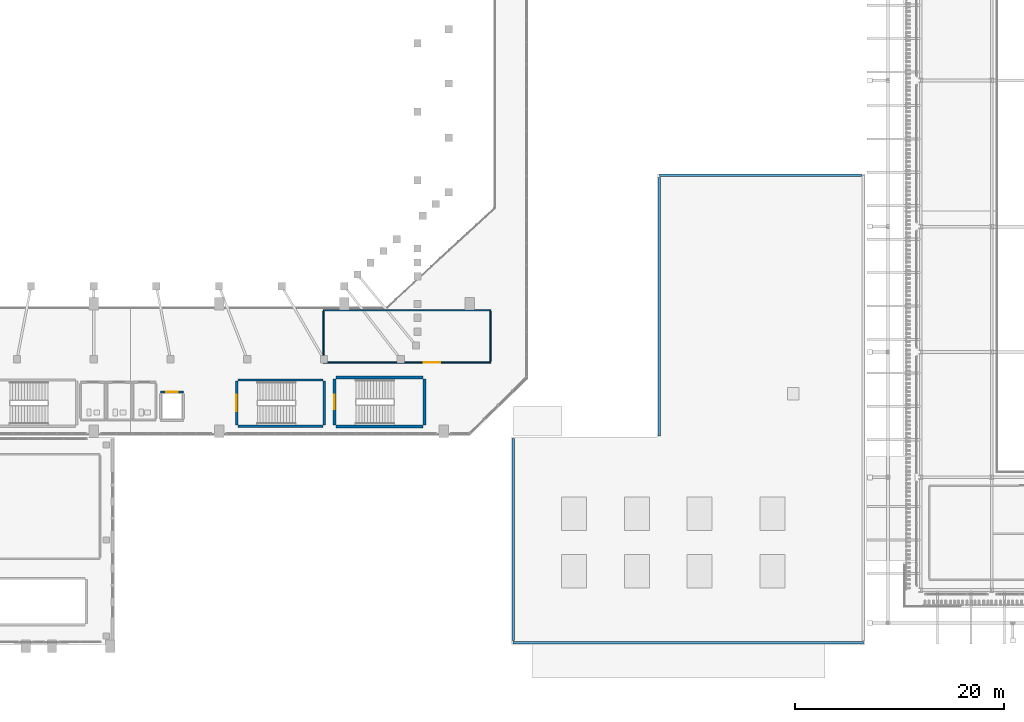
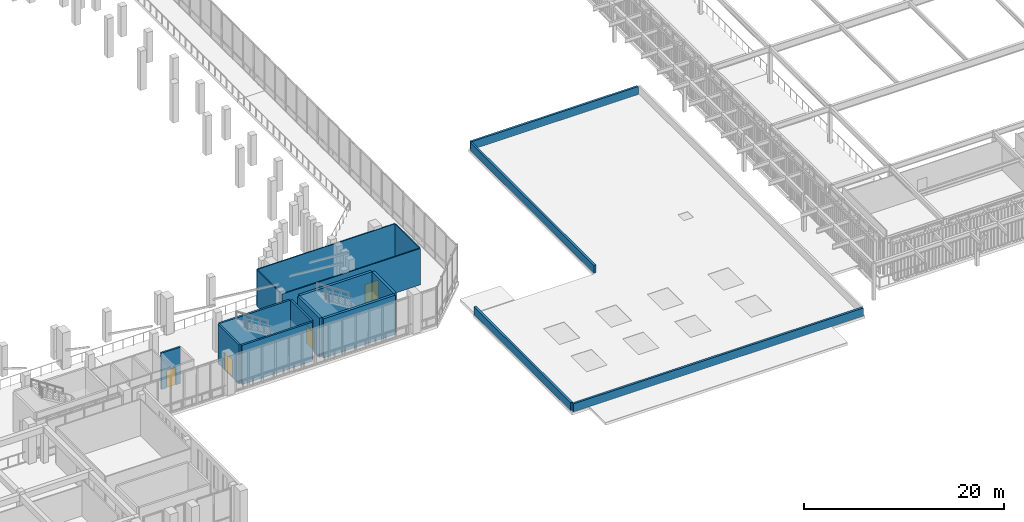
# One storey, part 93 of 126: 17 walls, 4 doors, 4 openings.
"""IFC4 building model written with IfcOpenShell, lengths in metres."""

from ifc_helpers import new_model, si_unit, derived_unit, direction, frame, frame_2d, origin, place, context, subcontext, project, spatial, rectangle, extrude, material, layer, layer_set, type_object, element, fill, save


model = new_model("IFC4")

# Units and contexts
model_context = context("Model", 3, precision=1e-05, world=origin(), true_north=direction((0.0, 1.0)))
body_context = subcontext(model_context, "Body", "Model", "MODEL_VIEW")
ifc_project = project(units=[si_unit("LENGTHUNIT", "METRE"), si_unit("AREAUNIT", "SQUARE_METRE"), si_unit("VOLUMEUNIT", "CUBIC_METRE"), si_unit("PLANEANGLEUNIT", "RADIAN"), si_unit("MASSUNIT", "GRAM", prefix="KILO"), derived_unit("THERMALTRANSMITTANCEUNIT", [(si_unit("MASSUNIT", "GRAM", prefix="KILO"), 1), (si_unit("TIMEUNIT", "SECOND"), -3), (si_unit("THERMODYNAMICTEMPERATUREUNIT", "KELVIN"), -1)])], contexts=[model_context])

# Site, building, storey
site_placement = place(None, origin())
site = spatial("IfcSite", under=ifc_project, at=site_placement, CompositionType="ELEMENT")
building_placement = place(site_placement, origin())
building = spatial("IfcBuilding", under=site, at=building_placement, Name="Valcora Ridge Arena", CompositionType="ELEMENT")
storey_placement = place(building_placement, frame((0.0, 0.0, 11.39990234375)))
storey = spatial("IfcBuildingStorey", under=building, at=storey_placement, Name="L02", CompositionType="ELEMENT", Elevation=11.39990234375)

# Wall, opening, door
ifc_material_1 = material(Name="Acoustic metal-stud gypsum partition 120 mm")
ifc_layer_1 = layer(ifc_material_1, 0.1201171875, Name="Acoustic metal-stud gypsum partition 120 mm")
ifc_layer_set_1 = layer_set([ifc_layer_1], Name="Acoustic metal-stud gypsum partition 120 mm")
wall_type_1 = type_object("IfcWallType", Name="TY-WALL-IW-PART-120", PredefinedType="PARTITIONING", material=ifc_layer_set_1)
wall_1_placement = place(storey_placement, frame((80.0, 27.0, 0.0), z_axis=(0.0, 0.0, 1.0), x_axis=(1.0, 0.0, 0.0)))
wall_1 = element("IfcWall", 1, at=wall_1_placement, inside=storey, type_object=wall_type_1, Name="IW-PART-120 WAL-IN-0349", PredefinedType="PARTITIONING", context=body_context, shape_type="SweptSolid", body=[
    extrude(rectangle(XDim=16.0, YDim=0.1201171875, at=frame_2d((8.0, 0.0))), origin(), (0.0, 0.0, 1.0), 4.4501953125),
])
opening_1_placement = place(wall_1_placement, frame((9.60009765625, 0.0, 0.0)))
opening_1 = element("IfcOpeningElement", 2, at=opening_1_placement, cuts=wall_1, Name="Opening D-PUB-1600", PredefinedType="OPENING", context=body_context, shape_type="SweptSolid", body=[
    extrude(rectangle(XDim=1.60009765625, YDim=2.25, at=frame_2d((0.800048828125, 1.125))), frame((0.0, 0.070068359375, 0.0), z_axis=(0.0, -1.0, 0.0), x_axis=(1.0, 0.0, 0.0)), (0.0, 0.0, 1.0), 0.14013671875),
])
ifc_material_2 = material(Name="Solid-core acoustic timber veneer door leaf", Category="wood")
door_type_1 = type_object("IfcDoorType", Name="TY-DOOR-D-PUB-1600", OperationType="NOTDEFINED", PredefinedType="DOOR", material=ifc_material_2)
door_1_placement = place(opening_1_placement, origin())
door_1 = element("IfcDoor", 3, at=door_1_placement, inside=storey, type_object=door_type_1, Name="D-PUB-1600 DOR-IN-0092", OperationType="DOUBLE_DOOR_SINGLE_SWING", OverallHeight=2.25, OverallWidth=1.60009765625, PredefinedType="DOOR", context=body_context, shape_type="SweptSolid", body=[
    extrude(rectangle(XDim=1.60009765625, YDim=2.25, at=frame_2d((0.800048828125, 1.125))), frame((0.0, 0.02490234375, 0.0), z_axis=(0.0, -1.0, 0.0), x_axis=(1.0, 0.0, 0.0)), (0.0, 0.0, 1.0), 0.050048828125),
])
fill(opening_1, door_1)

# Walls
wall_2_placement = place(storey_placement, frame((80.0, 32.0, 0.0), z_axis=(0.0, 0.0, 1.0), x_axis=(1.0, 0.0, 0.0)))
element("IfcWall", 4, at=wall_2_placement, inside=storey, type_object=wall_type_1, Name="IW-PART-120 WAL-IN-0350", PredefinedType="PARTITIONING", context=body_context, shape_type="SweptSolid", body=[
    extrude(rectangle(XDim=16.0, YDim=0.1201171875, at=frame_2d((8.0, 0.0))), origin(), (0.0, 0.0, 1.0), 4.4501953125),
])
for number, where, z_axis, x_axis, name in (
    (5, (80.0, 27.1201171875, 0.0), (0.0, 0.0, 1.0), (0.0, 1.0, 0.0), "IW-PART-120 WAL-IN-0351"),
    (6, (96.0, 27.1201171875, 0.0), (0.0, 0.0, 1.0), (0.0, 1.0, 0.0), "IW-PART-120 WAL-IN-0352"),
):
    element("IfcWall", number, at=place(storey_placement, frame(where, z_axis=z_axis, x_axis=x_axis)), inside=storey, type_object=wall_type_1, Name=name, PredefinedType="PARTITIONING", context=body_context, shape_type="SweptSolid", body=[
        extrude(rectangle(XDim=4.759765625, YDim=0.1201171875, at=frame_2d((2.3798828125, 0.0))), origin(), (0.0, 0.0, 1.0), 4.4501953125),
    ])

# Wall, opening, door
ifc_material_3 = material(Name="Concrete C40/50", Category="concrete")
ifc_layer_2 = layer(ifc_material_3, 0.199951171875, Name="Concrete C40/50")
ifc_layer_set_2 = layer_set([ifc_layer_2], Name="Concrete C40/50")
wall_type_2 = type_object("IfcWallType", Name="TY-WALL-IW-SHF-200", PredefinedType="STANDARD", material=ifc_layer_set_2)
wall_3_placement = place(storey_placement, frame((64.39990234375, 24.14990234375, 0.0), z_axis=(0.0, 0.0, 1.0), x_axis=(1.0, 0.0, 0.0)))
wall_3 = element("IfcWall", 7, at=wall_3_placement, inside=storey, type_object=wall_type_2, Name="IW-SHF-200 WAL-SH-0094", PredefinedType="STANDARD", context=body_context, shape_type="SweptSolid", body=[
    extrude(rectangle(XDim=2.2001953125, YDim=0.199951171875, at=frame_2d((1.10009765625, 0.0))), origin(), (0.0, 0.0, 1.0), 4.4501953125),
])
opening_2_placement = place(wall_3_placement, frame((0.550048828125, 0.0, 0.0)))
opening_2 = element("IfcOpeningElement", 8, at=opening_2_placement, cuts=wall_3, Name="Opening LD-PAX", PredefinedType="OPENING", context=body_context, shape_type="SweptSolid", body=[
    extrude(rectangle(XDim=1.10009765625, YDim=2.14990234375, at=frame_2d((0.550048828125, 1.074951171875))), frame((0.0, 0.10986328125, 0.0), z_axis=(0.0, -1.0, 0.0), x_axis=(1.0, 0.0, 0.0)), (0.0, 0.0, 1.0), 0.219970703125),
])
ifc_material_4 = material(Name="Insulated fire-rated hollow metal steel", Category="steel")
door_type_2 = type_object("IfcDoorType", Name="TY-DOOR-LD-PAX", OperationType="NOTDEFINED", PredefinedType="DOOR", material=ifc_material_4)
door_2_placement = place(opening_2_placement, origin())
door_2 = element("IfcDoor", 9, at=door_2_placement, inside=storey, type_object=door_type_2, Name="PL2 Landing Door L02", OperationType="SLIDING_TO_LEFT", OverallHeight=2.14990234375, OverallWidth=1.10009765625, PredefinedType="DOOR", context=body_context, shape_type="SweptSolid", body=[
    extrude(rectangle(XDim=1.10009765625, YDim=2.14990234375, at=frame_2d((0.550048828125, 1.074951171875))), frame((0.0, 0.02490234375, 0.0), z_axis=(0.0, -1.0, 0.0), x_axis=(1.0, 0.0, 0.0)), (0.0, 0.0, 1.0), 0.050048828125),
])
fill(opening_2, door_2)

# Walls
ifc_material_5 = material(Name="Concrete C45/55", Category="concrete")
ifc_layer_3 = layer(ifc_material_5, 0.300048828125, Name="Concrete C45/55")
ifc_layer_set_3 = layer_set([ifc_layer_3], Name="Concrete C45/55")
wall_type_3 = type_object("IfcWallType", Name="TY-WALL-SW-C300-L", PredefinedType="SHEAR", material=ifc_layer_set_3)
for number, where, z_axis, x_axis, name in (
    (10, (81.199951171875, 20.85009765625, 0.0), (0.0, 0.0, 1.0), (1.0, 0.0, 0.0), "SW-C300-L WAL-CR-0041"),
    (11, (81.199951171875, 25.550048828125, 0.0), (0.0, 0.0, 1.0), (1.0, 0.0, 0.0), "SW-C300-L WAL-CR-0042"),
):
    element("IfcWall", number, at=place(storey_placement, frame(where, z_axis=z_axis, x_axis=x_axis)), inside=storey, type_object=wall_type_3, Name=name, PredefinedType="SHEAR", context=body_context, shape_type="SweptSolid", body=[
        extrude(rectangle(XDim=8.320068359375, YDim=0.300048828125, at=frame_2d((4.16015625, 0.0))), origin(), (0.0, 0.0, 1.0), 4.800048828125),
    ])

# Wall, opening, door
ifc_layer_4 = layer(ifc_material_5, 0.300048828125, Name="Concrete C45/55")
ifc_layer_set_4 = layer_set([ifc_layer_4], Name="Concrete C45/55")
wall_type_4 = type_object("IfcWallType", Name="TY-WALL-SW-C300-S", PredefinedType="SHEAR", material=ifc_layer_set_4)
wall_4_placement = place(storey_placement, frame((81.050048828125, 21.0, 0.0), z_axis=(0.0, 0.0, 1.0), x_axis=(0.0, 1.0, 0.0)))
wall_4 = element("IfcWall", 12, at=wall_4_placement, inside=storey, type_object=wall_type_4, Name="SW-C300-S WAL-CR-0043", PredefinedType="SHEAR", context=body_context, shape_type="SweptSolid", body=[
    extrude(rectangle(XDim=4.39990234375, YDim=0.300048828125, at=frame_2d((2.199951171875, 0.0))), origin(), (0.0, 0.0, 1.0), 4.800048828125),
])
opening_3_placement = place(wall_4_placement, frame((1.5, 0.0, 0.0)))
opening_3 = element("IfcOpeningElement", 13, at=opening_3_placement, cuts=wall_4, Name="Opening FD-01", PredefinedType="OPENING", context=body_context, shape_type="SweptSolid", body=[
    extrude(rectangle(XDim=1.39990234375, YDim=2.199951171875, at=frame_2d((0.699951171875, 1.10009765625))), frame((0.0, 0.159912109375, 0.0), z_axis=(0.0, -1.0, 0.0), x_axis=(1.0, 0.0, 0.0)), (0.0, 0.0, 1.0), 0.320068359375),
])
ifc_material_6 = material(Name="Insulated fire-rated steel door leaf", Category="steel")
door_type_3 = type_object("IfcDoorType", Name="TY-DOOR-FD-01", OperationType="NOTDEFINED", PredefinedType="DOOR", material=ifc_material_6)
door_3_placement = place(opening_3_placement, origin())
door_3 = element("IfcDoor", 14, at=door_3_placement, inside=storey, type_object=door_type_3, Name="FD-01 DOR-ST-0011", OperationType="DOUBLE_DOOR_SINGLE_SWING", OverallHeight=2.199951171875, OverallWidth=1.39990234375, PredefinedType="DOOR", context=body_context, shape_type="SweptSolid", body=[
    extrude(rectangle(XDim=1.39990234375, YDim=2.199951171875, at=frame_2d((0.699951171875, 1.10009765625))), frame((0.0, 0.02490234375, 0.0), z_axis=(0.0, -1.0, 0.0), x_axis=(1.0, 0.0, 0.0)), (0.0, 0.0, 1.0), 0.050048828125),
])
fill(opening_3, door_3)

# Walls
wall_5_placement = place(storey_placement, frame((89.669921875, 21.0, 0.0), z_axis=(0.0, 0.0, 1.0), x_axis=(0.0, 1.0, 0.0)))
element("IfcWall", 15, at=wall_5_placement, inside=storey, type_object=wall_type_4, Name="SW-C300-S WAL-CR-0044", PredefinedType="SHEAR", context=body_context, shape_type="SweptSolid", body=[
    extrude(rectangle(XDim=4.39990234375, YDim=0.300048828125, at=frame_2d((2.199951171875, 0.0))), origin(), (0.0, 0.0, 1.0), 4.800048828125),
])
ifc_material_7 = material(Name="Fire-resisting reinforced concrete enclosure C40/50 200 mm", Category="concrete")
ifc_layer_5 = layer(ifc_material_7, 0.219970703125, Name="Fire-resisting reinforced concrete enclosure C40/50 200 mm")
ifc_layer_set_5 = layer_set([ifc_layer_5], Name="Fire-resisting reinforced concrete enclosure C40/50 200 mm")
wall_type_5 = type_object("IfcWallType", Name="TY-WALL-SW-ES-220", PredefinedType="SHEAR", material=ifc_layer_set_5)
for number, where, z_axis, x_axis, name in (
    (16, (71.800048828125, 20.889892578125, 0.0), (0.0, 0.0, 1.0), (1.0, 0.0, 0.0), "SW-ES-220 WAL-ES-0037"),
    (17, (71.800048828125, 25.31005859375, 0.0), (0.0, 0.0, 1.0), (1.0, 0.0, 0.0), "SW-ES-220 WAL-ES-0038"),
):
    element("IfcWall", number, at=place(storey_placement, frame(where, z_axis=z_axis, x_axis=x_axis)), inside=storey, type_object=wall_type_5, Name=name, PredefinedType="SHEAR", context=body_context, shape_type="SweptSolid", body=[
        extrude(rectangle(XDim=8.159912109375, YDim=0.219970703125, at=frame_2d((4.080078125, 0.0))), origin(), (0.0, 0.0, 1.0), 4.800048828125),
    ])

# Wall, opening, door
wall_6_placement = place(storey_placement, frame((71.68994140625, 21.0, 0.0), z_axis=(0.0, 0.0, 1.0), x_axis=(0.0, 1.0, 0.0)))
wall_6 = element("IfcWall", 18, at=wall_6_placement, inside=storey, type_object=wall_type_5, Name="SW-ES-220 WAL-ES-0039", PredefinedType="SHEAR", context=body_context, shape_type="SweptSolid", body=[
    extrude(rectangle(XDim=4.199951171875, YDim=0.219970703125, at=frame_2d((2.10009765625, 0.0))), origin(), (0.0, 0.0, 1.0), 4.800048828125),
])
opening_4_placement = place(wall_6_placement, frame((1.300048828125, 0.0, 0.0)))
opening_4 = element("IfcOpeningElement", 19, at=opening_4_placement, cuts=wall_6, Name="Opening FD-02", PredefinedType="OPENING", context=body_context, shape_type="SweptSolid", body=[
    extrude(rectangle(XDim=1.60009765625, YDim=2.199951171875, at=frame_2d((0.800048828125, 1.10009765625))), frame((0.0, 0.119873046875, 0.0), z_axis=(0.0, -1.0, 0.0), x_axis=(1.0, 0.0, 0.0)), (0.0, 0.0, 1.0), 0.239990234375),
])
door_type_4 = type_object("IfcDoorType", Name="TY-DOOR-FD-02", OperationType="NOTDEFINED", PredefinedType="DOOR", material=ifc_material_6)
door_4_placement = place(opening_4_placement, origin())
door_4 = element("IfcDoor", 20, at=door_4_placement, inside=storey, type_object=door_type_4, Name="FD-02 DOR-ES-0008", OperationType="DOUBLE_DOOR_SINGLE_SWING", OverallHeight=2.199951171875, OverallWidth=1.60009765625, PredefinedType="DOOR", context=body_context, shape_type="SweptSolid", body=[
    extrude(rectangle(XDim=1.60009765625, YDim=2.199951171875, at=frame_2d((0.800048828125, 1.10009765625))), frame((0.0, 0.02490234375, 0.0), z_axis=(0.0, -1.0, 0.0), x_axis=(1.0, 0.0, 0.0)), (0.0, 0.0, 1.0), 0.050048828125),
])
fill(opening_4, door_4)

# Walls
wall_7_placement = place(storey_placement, frame((80.070068359375, 21.0, 0.0), z_axis=(0.0, 0.0, 1.0), x_axis=(0.0, 1.0, 0.0)))
element("IfcWall", 21, at=wall_7_placement, inside=storey, type_object=wall_type_5, Name="SW-ES-220 WAL-ES-0040", PredefinedType="SHEAR", context=body_context, shape_type="SweptSolid", body=[
    extrude(rectangle(XDim=4.199951171875, YDim=0.219970703125, at=frame_2d((2.10009765625, 0.0))), origin(), (0.0, 0.0, 1.0), 4.800048828125),
])
ifc_material_8 = material(Name="Bush-hammered Andean travertine on concrete backup C40/50", Category="masonry")
ifc_layer_6 = layer(ifc_material_8, 0.239990234375, Name="Bush-hammered Andean travertine on concrete backup C40/50")
ifc_layer_set_6 = layer_set([ifc_layer_6], Name="Bush-hammered Andean travertine on concrete backup C40/50")
wall_type_6 = type_object("IfcWallType", Name="TY-WALL-WP-PARA-240", PredefinedType="PARAPET", material=ifc_layer_set_6)
wall_8_placement = place(storey_placement, frame((98.14990234375, 0.14990234375, 0.0), z_axis=(0.0, 0.0, 1.0), x_axis=(1.0, 0.0, 0.0)))
element("IfcWall", 22, at=wall_8_placement, inside=storey, type_object=wall_type_6, Name="WP-PARA-240 WAL-PP-0001", PredefinedType="PARAPET", context=body_context, shape_type="SweptSolid", body=[
    extrude(rectangle(XDim=33.550048828125, YDim=0.239990234375, at=frame_2d((16.77490234375, 0.0))), origin(), (0.0, 0.0, 1.0), 1.0),
])
wall_9_placement = place(storey_placement, frame((112.14990234375, 44.89990234375, 0.0), z_axis=(0.0, 0.0, 1.0), x_axis=(1.0, 0.0, 0.0)))
element("IfcWall", 23, at=wall_9_placement, inside=storey, type_object=wall_type_6, Name="WP-PARA-240 WAL-PP-0003", PredefinedType="PARAPET", context=body_context, shape_type="SweptSolid", body=[
    extrude(rectangle(XDim=19.35009765625, YDim=0.239990234375, at=frame_2d((9.675048828125, 0.0))), origin(), (0.0, 0.0, 1.0), 1.0),
])
wall_10_placement = place(storey_placement, frame((112.14990234375, 19.949951171875, 0.0), z_axis=(0.0, 0.0, 1.0), x_axis=(0.0, 1.0, 0.0)))
element("IfcWall", 24, at=wall_10_placement, inside=storey, type_object=wall_type_6, Name="WP-PARA-240 WAL-PP-0004", PredefinedType="PARAPET", context=body_context, shape_type="SweptSolid", body=[
    extrude(rectangle(XDim=24.75, YDim=0.239990234375, at=frame_2d((12.375, 0.0))), origin(), (0.0, 0.0, 1.0), 1.0),
])
wall_11_placement = place(storey_placement, frame((98.14990234375, 0.35009765625, 0.0), z_axis=(0.0, 0.0, 1.0), x_axis=(0.0, 1.0, 0.0)))
element("IfcWall", 25, at=wall_11_placement, inside=storey, type_object=wall_type_6, Name="WP-PARA-240 WAL-PP-0005", PredefinedType="PARAPET", context=body_context, shape_type="SweptSolid", body=[
    extrude(rectangle(XDim=19.349853515625, YDim=0.239990234375, at=frame_2d((9.6748046875, 0.0))), origin(), (0.0, 0.0, 1.0), 1.0),
])

save(model, "model.ifc")
